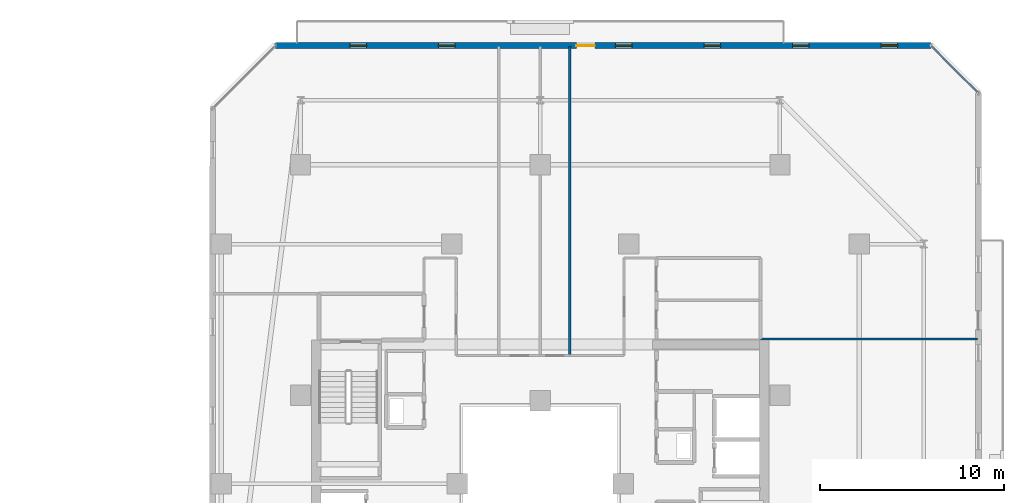
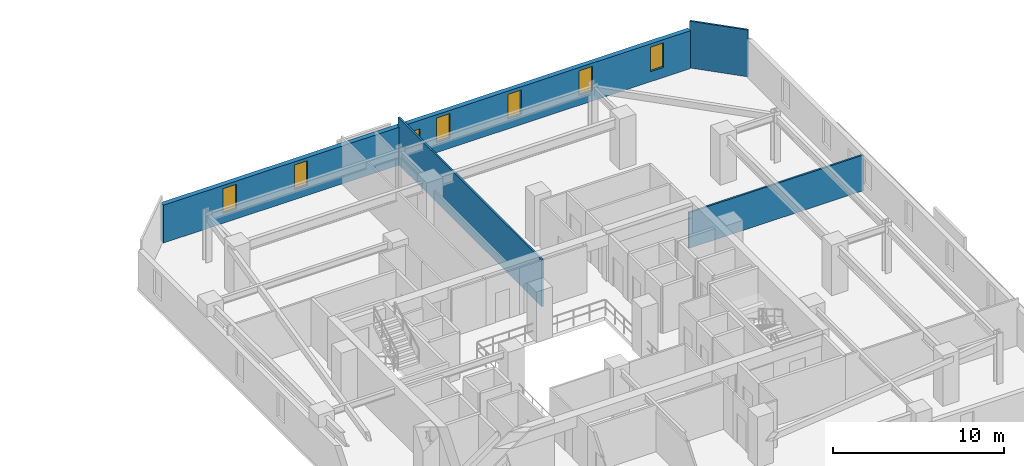
# One storey, part 26 of 33: 6 windows, 4 walls, 1 door, 7 openings.
"""IFC4 building model written with IfcOpenShell, lengths in metres."""

import ifcopenshell
import ifcopenshell.guid

model = None  # the IFC model being written
_history = None  # IfcOwnerHistory: only IFC2X3 demands one
_inside = {}  # id of a spatial element -> (the spatial element, [elements in it])
_under = {}  # id of a project, library or spatial element -> (it, [spatial elements below it])
_declared = {}  # id of a project -> (the project, [libraries it declares])
_typed = {}  # id of a type object -> (the type object, [elements of that type])
_made_of = {}  # id of a material, layer set ... -> (it, [elements and type objects made of it])


def new_model(schema):
    """Start an empty IFC model of exactly this schema.

    Asked for "IFC4X3", IfcOpenShell would pick the latest addendum, in which some entities
    have other attributes; the version numbers below select the first issue.
    IFC2X3 requires an IfcOwnerHistory on every rooted entity: one is made here for all.
    """
    global model, _history
    if schema == "IFC4X3":
        model = ifcopenshell.file(schema_version=(4, 3, 0, 0))
    else:
        model = ifcopenshell.file(schema=schema)
    _inside.clear()
    _under.clear()
    _declared.clear()
    _typed.clear()
    _made_of.clear()
    _history = None
    if model.schema == "IFC2X3":
        org = make("IfcOrganization", Name="unknown")
        user = make(
            "IfcPersonAndOrganization",
            ThePerson=make("IfcPerson", FamilyName="unknown"),
            TheOrganization=org,
        )
        app = make(
            "IfcApplication",
            ApplicationDeveloper=org,
            Version="unknown",
            ApplicationFullName="unknown",
            ApplicationIdentifier="unknown",
        )
        _history = make(
            "IfcOwnerHistory",
            OwningUser=user,
            OwningApplication=app,
            ChangeAction="ADDED",
            CreationDate=0,
        )
    return model


def make(cls, **values):
    """One entity of the class cls with the attributes given. An attribute that is None is left unset."""
    return model.create_entity(
        cls, **{name: value for name, value in values.items() if value is not None}
    )


def rooted(cls, **values):
    """An entity with a GlobalId (a new one), such as an element, a storey or a relation."""
    return make(cls, GlobalId=ifcopenshell.guid.new(), OwnerHistory=_history, **values)


def si_unit(unit_type, name, prefix=None):
    """IfcSIUnit, for example si_unit("LENGTHUNIT", "METRE", prefix="MILLI")."""
    return make("IfcSIUnit", UnitType=unit_type, Prefix=prefix, Name=name)


def assignment(units):
    """IfcUnitAssignment: the units of a project."""
    return None if units is None else make("IfcUnitAssignment", Units=units)


def point(xyz):
    """IfcCartesianPoint."""
    return None if xyz is None else make("IfcCartesianPoint", Coordinates=xyz)


def direction(xyz):
    """IfcDirection."""
    return None if xyz is None else make("IfcDirection", DirectionRatios=xyz)


def frame(location, z_axis=None, x_axis=None):
    """IfcAxis2Placement3D, a coordinate frame: its origin and axes. An axis left out is left unset."""
    return make(
        "IfcAxis2Placement3D",
        Location=point(location),
        Axis=direction(z_axis),
        RefDirection=direction(x_axis),
    )


def frame_2d(location, x_axis=None):
    """IfcAxis2Placement2D, a coordinate frame in the plane: its origin and x axis."""
    return make(
        "IfcAxis2Placement2D", Location=point(location), RefDirection=direction(x_axis)
    )


def origin():
    """The frame at (0, 0, 0) with its axes left unset."""
    return frame((0.0, 0.0, 0.0))


def place(relative_to, where):
    """IfcLocalPlacement: puts the frame where relative to a parent placement (None: the world)."""
    return make(
        "IfcLocalPlacement", PlacementRelTo=relative_to, RelativePlacement=where
    )


def context(
    kind, dimensions, precision=None, world=None, true_north=None, identifier=None
):
    """IfcGeometricRepresentationContext, for example the 3D "Model" context."""
    return make(
        "IfcGeometricRepresentationContext",
        ContextIdentifier=identifier,
        ContextType=kind,
        CoordinateSpaceDimension=dimensions,
        Precision=precision,
        WorldCoordinateSystem=world,
        TrueNorth=true_north,
    )


def subcontext(parent, identifier, kind, view, scale=None):
    """IfcGeometricRepresentationSubContext, for example "Body" below "Model"."""
    return make(
        "IfcGeometricRepresentationSubContext",
        ContextIdentifier=identifier,
        ContextType=kind,
        ParentContext=parent,
        TargetScale=scale,
        TargetView=view,
    )


def project(units=None, contexts=None):
    """IfcProject with its units and contexts."""
    return rooted(
        "IfcProject",
        Name="project",
        RepresentationContexts=contexts,
        UnitsInContext=assignment(units),
    )


def spatial(cls, under=None, at=None, **own):
    """A site, building, storey or space (cls), placed at a placement, below another one or the project."""
    s = rooted(cls, ObjectPlacement=at, **own)
    if under is not None:
        _under.setdefault(under.id(), (under, []))[1].append(s)
    return s


def profile(cls, at=None, kind="AREA", **sizes):
    """A parametric profile (cls). Its sizes go by their IFC names, for example OverallWidth=200.0."""
    return make(cls, ProfileType=kind, Position=at, **sizes)


def rectangle(**sizes):
    """IfcRectangleProfileDef."""
    return profile("IfcRectangleProfileDef", **sizes)


def extrude(swept, where, along, depth):
    """IfcExtrudedAreaSolid: the profile swept, set in the frame where, extruded along a direction by depth."""
    return make(
        "IfcExtrudedAreaSolid",
        SweptArea=swept,
        Position=where,
        ExtrudedDirection=direction(along),
        Depth=depth,
    )


def shape(context_of_items, identifier, shape_type, items):
    """IfcShapeRepresentation: the items that make up one representation, for example the "Body"."""
    return make(
        "IfcShapeRepresentation",
        ContextOfItems=context_of_items,
        RepresentationIdentifier=identifier,
        RepresentationType=shape_type,
        Items=items,
    )


def material(Name=None, Category=None):
    """IfcMaterial."""
    return make("IfcMaterial", Name=Name, Category=Category)


def layer(
    of_material, thickness, ventilated=None, Name=None, Category=None, Priority=None
):
    """IfcMaterialLayer: one layer of a wall or slab, of a material (None: an air gap)."""
    return make(
        "IfcMaterialLayer",
        Material=of_material,
        LayerThickness=thickness,
        IsVentilated=ventilated,
        Name=Name,
        Category=Category,
        Priority=Priority,
    )


def layer_set(layers, Name=None):
    """IfcMaterialLayerSet."""
    return make("IfcMaterialLayerSet", MaterialLayers=layers, LayerSetName=Name)


def made_of(thing, what):
    """Note that an element or type object is made of a material, layer set ...; save() writes the relation."""
    if what is not None:
        _made_of.setdefault(what.id(), (what, []))[1].append(thing)
    return thing


def type_object(cls, material=None, **own):
    """A type object (cls), such as IfcWallType, which elements share."""
    return made_of(rooted(cls, **own), material)


def element(
    cls,
    number,
    at=None,
    inside=None,
    cuts=None,
    type_object=None,
    material=None,
    context=None,
    identifier="Body",
    shape_type=None,
    held_by="IfcProductDefinitionShape",
    body=None,
    shapes=None,
    **own,
):
    """One element of the class cls, such as IfcWall. Its Tag is "e" and its number.

    at: its placement. inside: the storey or other place that contains it. cuts: it is an
    opening in that element (IfcRelVoidsElement). A single representation is given by context,
    identifier, shape_type and body (its items); several are given by shapes. held_by: the class
    of the entity that holds the representations. save() writes the other relations.
    """
    e = rooted(cls, Tag="e%d" % number, ObjectPlacement=at, **own)
    if body is not None:
        shapes = [shape(context, identifier, shape_type, body)]
    if shapes is not None:
        e.Representation = make(held_by, Representations=shapes)
    if inside is not None:
        _inside.setdefault(inside.id(), (inside, []))[1].append(e)
    if cuts is not None:
        rooted(
            "IfcRelVoidsElement", RelatingBuildingElement=cuts, RelatedOpeningElement=e
        )
    if type_object is not None:
        _typed.setdefault(type_object.id(), (type_object, []))[1].append(e)
    return made_of(e, material)


def fill(opening, filler):
    """IfcRelFillsElement: the door or window that sits in an opening."""
    return rooted(
        "IfcRelFillsElement",
        RelatingOpeningElement=opening,
        RelatedBuildingElement=filler,
    )


def aggregate(whole, parts):
    """IfcRelAggregates: a whole, such as a stair, and the parts it consists of."""
    return rooted("IfcRelAggregates", RelatingObject=whole, RelatedObjects=parts)


def save(model, path):
    """Write the relations noted so far, then the file.

    IfcRelAggregates (storeys below a building ...), IfcRelContainedInSpatialStructure (elements
    in a storey), IfcRelDefinesByType, IfcRelAssociatesMaterial and IfcRelDeclares: one each for
    every whole, place, type object, material and project.
    """
    for whole, parts in _under.values():
        aggregate(whole, parts)
    for where, things in _inside.values():
        rooted(
            "IfcRelContainedInSpatialStructure",
            RelatedElements=things,
            RelatingStructure=where,
        )
    for kind, things in _typed.values():
        rooted("IfcRelDefinesByType", RelatedObjects=things, RelatingType=kind)
    for what, things in _made_of.values():
        rooted("IfcRelAssociatesMaterial", RelatedObjects=things, RelatingMaterial=what)
    for by, libraries in _declared.values():
        rooted("IfcRelDeclares", RelatingContext=by, RelatedDefinitions=libraries)
    model.write(path)


model = new_model("IFC4")

# Units and contexts
model_context = context("Model", 3, precision=1e-05, world=origin(), true_north=direction((0.0, 1.0)))
body_context = subcontext(model_context, "Body", "Model", "MODEL_VIEW")
ifc_project = project(units=[si_unit("LENGTHUNIT", "METRE"), si_unit("AREAUNIT", "SQUARE_METRE"), si_unit("VOLUMEUNIT", "CUBIC_METRE"), si_unit("PLANEANGLEUNIT", "RADIAN"), si_unit("MASSUNIT", "GRAM", prefix="KILO")], contexts=[model_context])

# Site, building, storey
site_placement = place(None, origin())
site = spatial("IfcSite", under=ifc_project, at=site_placement, CompositionType="ELEMENT")
building_placement = place(site_placement, origin())
building = spatial("IfcBuilding", under=site, at=building_placement, Name="Thornwick Lancets Civic Towers", CompositionType="ELEMENT")
storey_placement = place(building_placement, frame((0.0, 0.0, 159.89990234375)))
storey = spatial("IfcBuildingStorey", under=building, at=storey_placement, Name="L42", CompositionType="ELEMENT", Elevation=159.89990234375)

# Wall, openings, door, windows
ifc_material_1 = material(Name="Insulated buff terracotta rainscreen on concrete C40/50", Category="masonry")
ifc_layer_1 = layer(ifc_material_1, 0.320068359375, Name="Insulated buff terracotta rainscreen on concrete C40/50")
ifc_layer_set_1 = layer_set([ifc_layer_1], Name="Insulated buff terracotta rainscreen on concrete C40/50")
wall_type_1 = type_object("IfcWallType", Name="WALL_EXT_TERRA_320", PredefinedType="STANDARD", material=ifc_layer_set_1)
wall_1_placement = place(storey_placement, frame((109.681396484375, 50.7646484375, 0.0), z_axis=(0.0, 0.0, 1.0), x_axis=(-0.999999997144, -7.5574884e-05, 0.0)))
wall_1 = element("IfcWall", 1, at=wall_1_placement, inside=storey, type_object=wall_type_1, Name="L42 Tower B Terracotta Facade Wall E4", PredefinedType="STANDARD", context=body_context, shape_type="SweptSolid", body=[
    extrude(rectangle(XDim=35.534912109375, YDim=0.320068359375, at=frame_2d((17.767578125, 0.0))), origin(), (0.0, 0.0, 1.0), 2.7001953125),
])
opening_1_placement = place(wall_1_placement, frame((18.217529296875, 0.0, 0.0)))
opening_1 = element("IfcOpeningElement", 2, at=opening_1_placement, cuts=wall_1, Name="Opening D-BL-L42-BN", PredefinedType="OPENING", context=body_context, shape_type="SweptSolid", body=[
    extrude(rectangle(XDim=1.0, YDim=2.080078125, at=frame_2d((0.5, 1.0400390625))), frame((0.0, 0.169921875, 0.0), z_axis=(0.0, -1.0, 0.0), x_axis=(1.0, 0.0, 0.0)), (0.0, 0.0, 1.0), 0.340087890625),
])
opening_2_placement = place(wall_1_placement, frame((1.800048828125, 0.0, 0.719970703125)))
opening_2 = element("IfcOpeningElement", 3, at=opening_2_placement, cuts=wall_1, Name="Opening WL-01", PredefinedType="OPENING", context=body_context, shape_type="SweptSolid", body=[
    extrude(rectangle(XDim=0.89990234375, YDim=1.75, at=frame_2d((0.449951171875, 0.875))), frame((0.0, 0.169921875, 0.0), z_axis=(0.0, -1.0, 0.0), x_axis=(1.0, 0.0, 0.0)), (0.0, 0.0, 1.0), 0.340087890625),
])
opening_3_placement = place(wall_1_placement, frame((6.60009765625, 0.0, 0.719970703125)))
opening_3 = element("IfcOpeningElement", 4, at=opening_3_placement, cuts=wall_1, Name="Opening WL-01", PredefinedType="OPENING", context=body_context, shape_type="SweptSolid", body=[
    extrude(rectangle(XDim=0.89990234375, YDim=1.75, at=frame_2d((0.449951171875, 0.875))), frame((0.0, 0.169921875, 0.0), z_axis=(0.0, -1.0, 0.0), x_axis=(1.0, 0.0, 0.0)), (0.0, 0.0, 1.0), 0.340087890625),
])
opening_4_placement = place(wall_1_placement, frame((11.39990234375, 0.0, 0.719970703125)))
opening_4 = element("IfcOpeningElement", 5, at=opening_4_placement, cuts=wall_1, Name="Opening WL-01", PredefinedType="OPENING", context=body_context, shape_type="SweptSolid", body=[
    extrude(rectangle(XDim=0.89990234375, YDim=1.75, at=frame_2d((0.449951171875, 0.875))), frame((0.0, 0.169921875, 0.0), z_axis=(0.0, -1.0, 0.0), x_axis=(1.0, 0.0, 0.0)), (0.0, 0.0, 1.0), 0.340087890625),
])
opening_5_placement = place(wall_1_placement, frame((16.199951171875, 0.0, 0.719970703125)))
opening_5 = element("IfcOpeningElement", 6, at=opening_5_placement, cuts=wall_1, Name="Opening WL-01", PredefinedType="OPENING", context=body_context, shape_type="SweptSolid", body=[
    extrude(rectangle(XDim=0.89990234375, YDim=1.75, at=frame_2d((0.449951171875, 0.875))), frame((0.0, 0.169921875, 0.0), z_axis=(0.0, -1.0, 0.0), x_axis=(1.0, 0.0, 0.0)), (0.0, 0.0, 1.0), 0.340087890625),
])
opening_6_placement = place(wall_1_placement, frame((25.800048828125, 0.0, 0.719970703125)))
opening_6 = element("IfcOpeningElement", 7, at=opening_6_placement, cuts=wall_1, Name="Opening WL-01", PredefinedType="OPENING", context=body_context, shape_type="SweptSolid", body=[
    extrude(rectangle(XDim=0.89990234375, YDim=1.75, at=frame_2d((0.449951171875, 0.875))), frame((0.0, 0.169921875, 0.0), z_axis=(0.0, -1.0, 0.0), x_axis=(1.0, 0.0, 0.0)), (0.0, 0.0, 1.0), 0.340087890625),
])
opening_7_placement = place(wall_1_placement, frame((30.60009765625, 0.0, 0.719970703125)))
opening_7 = element("IfcOpeningElement", 8, at=opening_7_placement, cuts=wall_1, Name="Opening WL-01", PredefinedType="OPENING", context=body_context, shape_type="SweptSolid", body=[
    extrude(rectangle(XDim=0.89990234375, YDim=1.75, at=frame_2d((0.449951171875, 0.875))), frame((0.0, 0.169921875, 0.0), z_axis=(0.0, -1.0, 0.0), x_axis=(1.0, 0.0, 0.0)), (0.0, 0.0, 1.0), 0.340087890625),
])
ifc_material_2 = material(Name="Thermally broken glazed loggia doorset")
door_type = type_object("IfcDoorType", Name="DOOR_BALC_1000", OperationType="NOTDEFINED", PredefinedType="DOOR", material=ifc_material_2)
door_placement = place(opening_1_placement, origin())
door = element("IfcDoor", 9, at=door_placement, inside=storey, type_object=door_type, Name="L42 Tower B Loggia Balcony Door N", OperationType="SINGLE_SWING_LEFT", OverallHeight=2.080078125, OverallWidth=1.0, PredefinedType="DOOR", context=body_context, shape_type="SweptSolid", body=[
    extrude(rectangle(XDim=1.0, YDim=2.080078125, at=frame_2d((0.5, 1.0400390625))), frame((0.0, 0.02490234375, 0.0), z_axis=(0.0, -1.0, 0.0), x_axis=(1.0, 0.0, 0.0)), (0.0, 0.0, 1.0), 0.050048828125),
])
fill(opening_1, door)
ifc_material_3 = material(Name="Clear low-e double glazing in bronze frame", Category="glass")
window_type = type_object("IfcWindowType", Name="WIN_LANCET_900", PartitioningType="SINGLE_PANEL", PredefinedType="WINDOW", material=ifc_material_3)
window_1_placement = place(opening_2_placement, origin())
window_1 = element("IfcWindow", 10, at=window_1_placement, inside=storey, type_object=window_type, Name="L42 Tower B Staggered Lancet Window E4-1", OverallHeight=1.75, OverallWidth=0.89990234375, PartitioningType="SINGLE_PANEL", PredefinedType="WINDOW", context=body_context, shape_type="SweptSolid", body=[
    extrude(rectangle(XDim=0.89990234375, YDim=1.75, at=frame_2d((0.449951171875, 0.875))), frame((0.0, 0.030029296875, 0.0), z_axis=(0.0, -1.0, 0.0), x_axis=(1.0, 0.0, 0.0)), (0.0, 0.0, 1.0), 0.06005859375),
])
fill(opening_2, window_1)
window_2_placement = place(opening_3_placement, origin())
window_2 = element("IfcWindow", 11, at=window_2_placement, inside=storey, type_object=window_type, Name="L42 Tower B Staggered Lancet Window E4-2", OverallHeight=1.75, OverallWidth=0.89990234375, PartitioningType="SINGLE_PANEL", PredefinedType="WINDOW", context=body_context, shape_type="SweptSolid", body=[
    extrude(rectangle(XDim=0.89990234375, YDim=1.75, at=frame_2d((0.449951171875, 0.875))), frame((0.0, 0.030029296875, 0.0), z_axis=(0.0, -1.0, 0.0), x_axis=(1.0, 0.0, 0.0)), (0.0, 0.0, 1.0), 0.06005859375),
])
fill(opening_3, window_2)
window_3_placement = place(opening_4_placement, origin())
window_3 = element("IfcWindow", 12, at=window_3_placement, inside=storey, type_object=window_type, Name="L42 Tower B Staggered Lancet Window E4-3", OverallHeight=1.75, OverallWidth=0.89990234375, PartitioningType="SINGLE_PANEL", PredefinedType="WINDOW", context=body_context, shape_type="SweptSolid", body=[
    extrude(rectangle(XDim=0.89990234375, YDim=1.75, at=frame_2d((0.449951171875, 0.875))), frame((0.0, 0.030029296875, 0.0), z_axis=(0.0, -1.0, 0.0), x_axis=(1.0, 0.0, 0.0)), (0.0, 0.0, 1.0), 0.06005859375),
])
fill(opening_4, window_3)
window_4_placement = place(opening_5_placement, origin())
window_4 = element("IfcWindow", 13, at=window_4_placement, inside=storey, type_object=window_type, Name="L42 Tower B Staggered Lancet Window E4-4", OverallHeight=1.75, OverallWidth=0.89990234375, PartitioningType="SINGLE_PANEL", PredefinedType="WINDOW", context=body_context, shape_type="SweptSolid", body=[
    extrude(rectangle(XDim=0.89990234375, YDim=1.75, at=frame_2d((0.449951171875, 0.875))), frame((0.0, 0.030029296875, 0.0), z_axis=(0.0, -1.0, 0.0), x_axis=(1.0, 0.0, 0.0)), (0.0, 0.0, 1.0), 0.06005859375),
])
fill(opening_5, window_4)
window_5_placement = place(opening_6_placement, origin())
window_5 = element("IfcWindow", 14, at=window_5_placement, inside=storey, type_object=window_type, Name="L42 Tower B Staggered Lancet Window E4-5", OverallHeight=1.75, OverallWidth=0.89990234375, PartitioningType="SINGLE_PANEL", PredefinedType="WINDOW", context=body_context, shape_type="SweptSolid", body=[
    extrude(rectangle(XDim=0.89990234375, YDim=1.75, at=frame_2d((0.449951171875, 0.875))), frame((0.0, 0.030029296875, 0.0), z_axis=(0.0, -1.0, 0.0), x_axis=(1.0, 0.0, 0.0)), (0.0, 0.0, 1.0), 0.06005859375),
])
fill(opening_6, window_5)
window_6_placement = place(opening_7_placement, origin())
window_6 = element("IfcWindow", 15, at=window_6_placement, inside=storey, type_object=window_type, Name="L42 Tower B Staggered Lancet Window E4-6", OverallHeight=1.75, OverallWidth=0.89990234375, PartitioningType="SINGLE_PANEL", PredefinedType="WINDOW", context=body_context, shape_type="SweptSolid", body=[
    extrude(rectangle(XDim=0.89990234375, YDim=1.75, at=frame_2d((0.449951171875, 0.875))), frame((0.0, 0.030029296875, 0.0), z_axis=(0.0, -1.0, 0.0), x_axis=(1.0, 0.0, 0.0)), (0.0, 0.0, 1.0), 0.06005859375),
])
fill(opening_7, window_6)

# Walls
ifc_material_4 = material(Name="Acoustic gypsum board partition")
ifc_layer_2 = layer(ifc_material_4, 0.1201171875, Name="Acoustic gypsum board partition")
ifc_layer_set_2 = layer_set([ifc_layer_2], Name="Acoustic gypsum board partition")
wall_type_2 = type_object("IfcWallType", Name="WALL_PART_120", PredefinedType="PARTITIONING", material=ifc_layer_set_2)
wall_2_placement = place(storey_placement, frame((90.10009765625, 33.949951171875, 0.0), z_axis=(0.0, 0.0, 1.0), x_axis=(0.0, 1.0, 0.0)))
element("IfcWall", 16, at=wall_2_placement, inside=storey, type_object=wall_type_2, Name="L42 Partition L42-B-E1 E7", PredefinedType="PARTITIONING", context=body_context, shape_type="SweptSolid", body=[
    extrude(rectangle(XDim=16.77001953125, YDim=0.1201171875, at=frame_2d((8.385009765625, 0.0))), origin(), (0.0, 0.0, 1.0), 3.340087890625),
])
wall_3_placement = place(storey_placement, frame((109.725341796875, 50.719970703125, 0.0), z_axis=(0.0, 0.0, 1.0), x_axis=(0.707106781187, -0.707106781187, 0.0)))
element("IfcWall", 17, at=wall_3_placement, inside=storey, type_object=wall_type_2, Name="L42 Partition L42-B-E1 E9", PredefinedType="PARTITIONING", context=body_context, shape_type="SweptSolid", body=[
    extrude(rectangle(XDim=3.52783203125, YDim=0.1201171875, at=frame_2d((1.763916015625, 0.0))), origin(), (0.0, 0.0, 1.0), 3.340087890625),
])
wall_4_placement = place(storey_placement, frame((112.219970703125, 34.85009765625, 0.0), z_axis=(0.0, 0.0, 1.0), x_axis=(-1.0, 0.0, 0.0)))
element("IfcWall", 18, at=wall_4_placement, inside=storey, type_object=wall_type_2, Name="L42 Partition L42-B-E1 E11", PredefinedType="PARTITIONING", context=body_context, shape_type="SweptSolid", body=[
    extrude(rectangle(XDim=11.77001953125, YDim=0.1201171875, at=frame_2d((5.885009765625, 0.0))), origin(), (0.0, 0.0, 1.0), 2.545166015625),
])

save(model, "model.ifc")
